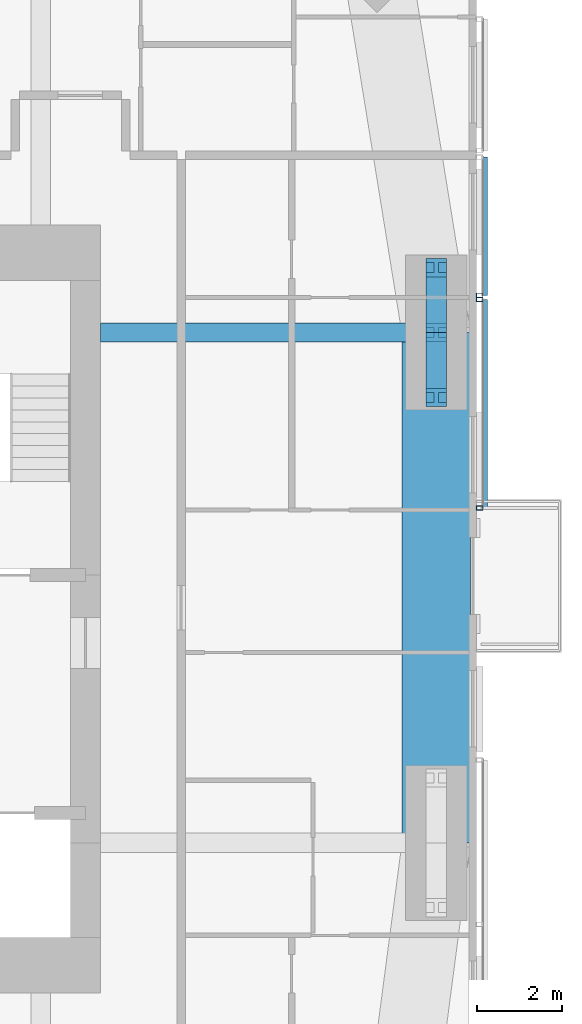
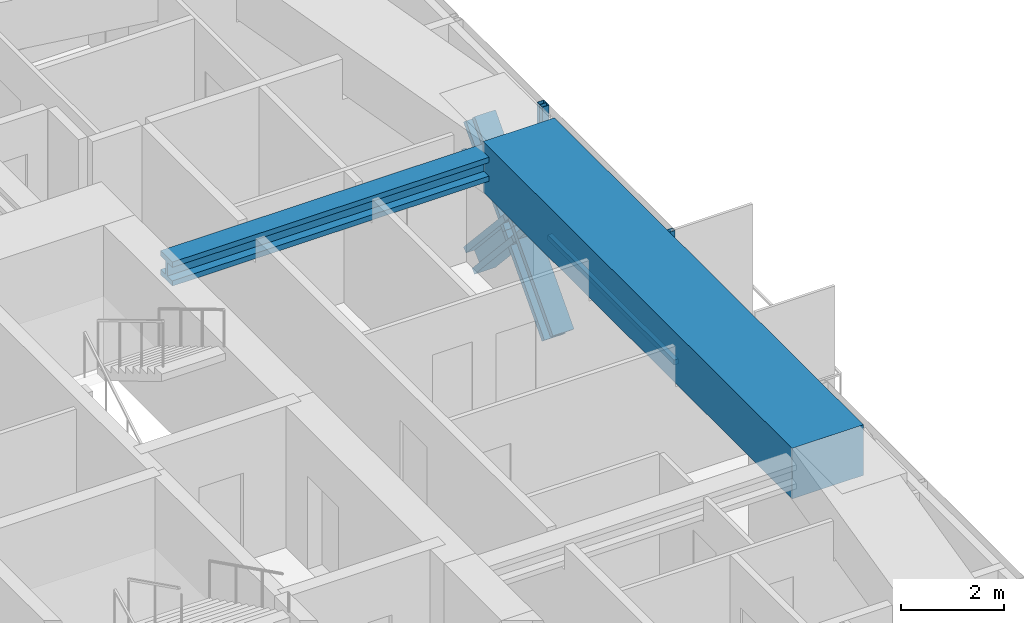
# One storey, part 8 of 23: 9 members, 2 beams, 2 elements without a shape of their own.
"""IFC4 building model written with IfcOpenShell, lengths in metres."""

from ifc_helpers import new_model, si_unit, direction, frame, origin, origin_2d, place, context, subcontext, project, spatial, rectangle, hollow_rectangle, i_section, extrude, material, material_profile, profile_set, type_object, element, aggregate, save


model = new_model("IFC4")

# Units and contexts
model_context = context("Model", 3, precision=1e-05, world=origin(), true_north=direction((0.0, 1.0)))
body_context = subcontext(model_context, "Body", "Model", "MODEL_VIEW")
ifc_project = project(units=[si_unit("LENGTHUNIT", "METRE"), si_unit("AREAUNIT", "SQUARE_METRE"), si_unit("VOLUMEUNIT", "CUBIC_METRE"), si_unit("PLANEANGLEUNIT", "RADIAN"), si_unit("MASSUNIT", "GRAM", prefix="KILO")], contexts=[model_context])

# Site, building, storey
site_placement = place(None, origin())
site = spatial("IfcSite", under=ifc_project, at=site_placement, CompositionType="ELEMENT")
building_placement = place(site_placement, origin())
building = spatial("IfcBuilding", under=site, at=building_placement, Name="Jalousie Tower", CompositionType="ELEMENT")
storey_placement = place(building_placement, frame((0.0, 0.0, 197.89990234375)))
storey = spatial("IfcBuildingStorey", under=building, at=storey_placement, Name="L54", CompositionType="ELEMENT", Elevation=197.89990234375)

# Beam
ifc_material_1 = material(Name="Steel ASTM A992 Grade 50", Category="steel")
ifc_material_profile_1 = material_profile(ifc_material_1, i_section(OverallWidth=0.45458984375, OverallDepth=0.569091796875, WebThickness=0.077880859375, FlangeThickness=0.124755859375, at=origin_2d()), Name="W14X730")
ifc_profile_set_1 = profile_set([ifc_material_profile_1], Name="Steel ASTM A992 Grade 50")
beam_type_1 = type_object("IfcBeamType", Name="LEAN COLLECTOR W14X730", PredefinedType="BEAM", material=ifc_profile_set_1)
beam_1_placement = place(storey_placement, frame((52.050048828125, 25.0, 2.82568359375), z_axis=(-1.0, 0.0, 0.0), x_axis=(0.0, -1.0, 0.0)))
element("IfcBeam", 1, at=beam_1_placement, inside=storey, type_object=beam_type_1, Name="Lean collector under L55", PredefinedType="BEAM", context=body_context, shape_type="SweptSolid", body=[
    extrude(i_section(OverallWidth=0.45458984375, OverallDepth=0.569091796875, WebThickness=0.077880859375, FlangeThickness=0.124755859375, at=origin_2d()), origin(), (0.0, 0.0, 1.0), 7.900146484375),
])

# Members
ifc_material_2 = material(Name="Steel ASTM A992 Grade 50", Category="steel")
ifc_material_profile_2 = material_profile(ifc_material_2, i_section(OverallWidth=0.472412109375, OverallDepth=0.5791015625, WebThickness=0.094970703125, FlangeThickness=0.1298828125, at=origin_2d()), Name="W14X808")
ifc_profile_set_2 = profile_set([ifc_material_profile_2], Name="Steel ASTM A992 Grade 50")
member_type_1 = type_object("IfcMemberType", Name="PERIMETER BRACE W14X808", PredefinedType="BRACE", material=ifc_profile_set_2)
for number, where, z_axis, x_axis, name in (
    (2, (52.050048828125, 23.47509765625, -0.599853515625), (0.0, 0.673187629365, 0.739471713908), (-1.0, 0.0, 0.0), "Perimeter brace 07 L54 part 1"),
    (3, (52.050048828125, 25.0, 1.0751953125), (0.0, 0.673241284601, 0.739422864611), (-1.0, 0.0, 0.0), "Perimeter brace 07 L54 part 2"),
    (4, (52.050048828125, 26.52490234375, -0.599853515625), (0.0, -0.673187629365, 0.739471713908), (1.0, 0.0, 0.0), "Perimeter brace 07 L54 part 3"),
    (5, (52.050048828125, 25.0, 1.0751953125), (0.0, -0.673241284601, 0.739422864611), (1.0, 0.0, 0.0), "Perimeter brace 07 L54 part 4"),
):
    element("IfcMember", number, at=place(storey_placement, frame(where, z_axis=z_axis, x_axis=x_axis)), inside=storey, type_object=member_type_1, Name=name, PredefinedType="BRACE", context=body_context, shape_type="SweptSolid", body=[
        extrude(i_section(OverallWidth=0.472412109375, OverallDepth=0.5791015625, WebThickness=0.094970703125, FlangeThickness=0.1298828125, at=origin_2d()), origin(), (0.0, 0.0, 1.0), 2.26513671875),
    ])

# Beam
ifc_material_3 = material(Name="Concrete f'c 40 MPa", Category="concrete")
ifc_material_profile_3 = material_profile(ifc_material_3, rectangle(XDim=1.60009765625, YDim=1.199951171875, at=origin_2d()), Name="RC 1600x1200")
ifc_profile_set_3 = profile_set([ifc_material_profile_3], Name="Concrete f'c 40 MPa")
beam_type_2 = type_object("IfcBeamType", Name="RC BEAM 1600x1200", PredefinedType="BEAM", material=ifc_profile_set_3)
beam_2_placement = place(storey_placement, frame((52.050048828125, 13.0, 2.75), z_axis=(0.0, 1.0, 0.0), x_axis=(-1.0, 0.0, 0.0)))
element("IfcBeam", 6, at=beam_2_placement, inside=storey, type_object=beam_type_2, Name="Edge band beam 06-07 under L55", PredefinedType="BEAM", context=body_context, shape_type="SweptSolid", body=[
    extrude(rectangle(XDim=1.60009765625, YDim=1.199951171875, at=origin_2d()), origin(), (0.0, 0.0, 1.0), 12.0),
])

# Curtain wall, members
ifc_material_4 = material(Name="Perforated aluminium sheet", Category="aluminium")
curtain_wall_type = type_object("IfcCurtainWallType", Name="SOLAR SCREEN SS-1", PredefinedType="USERDEFINED", material=ifc_material_4)
curtain_wall_1_placement = place(storey_placement, origin())
curtain_wall_1 = element("IfcCurtainWall", 7, at=curtain_wall_1_placement, inside=storey, type_object=curtain_wall_type, Name="Solar screen L54", ObjectType="SOLAR SCREEN SS-1", PredefinedType="USERDEFINED")
ifc_material_5 = material(Name="Steel ASTM A500 Grade C", Category="steel")
ifc_material_profile_4 = material_profile(ifc_material_5, hollow_rectangle(XDim=0.1015625, YDim=0.15234375, WallThickness=0.00634765625, at=origin_2d()), Name="HSS6X4X1/4")
ifc_profile_set_4 = profile_set([ifc_material_profile_4], Name="Steel ASTM A500 Grade C")
member_type_2 = type_object("IfcMemberType", Name="SOLAR SCREEN SS-1 MULLION", PredefinedType="MULLION", material=ifc_profile_set_4)
member_1_placement = place(storey_placement, frame((53.0712890625, 20.875, -0.119873046875), z_axis=(0.0, 0.0, 1.0), x_axis=(0.0, 1.0, 0.0)))
member_1 = element("IfcMember", 8, at=member_1_placement, type_object=member_type_2, Name="SS1 post 1", PredefinedType="MULLION", context=body_context, shape_type="SweptSolid", body=[
    extrude(hollow_rectangle(XDim=0.1015625, YDim=0.15234375, WallThickness=0.00634765625, at=origin_2d()), origin(), (0.0, 0.0, 1.0), 3.22998046875),
])
member_2_placement = place(storey_placement, frame((53.0712890625, 25.77490234375, -0.119873046875), z_axis=(0.0, 0.0, 1.0), x_axis=(0.0, 1.0, 0.0)))
member_2 = element("IfcMember", 9, at=member_2_placement, type_object=member_type_2, Name="SS1 post 2", PredefinedType="MULLION", context=body_context, shape_type="SweptSolid", body=[
    extrude(hollow_rectangle(XDim=0.1015625, YDim=0.15234375, WallThickness=0.00634765625, at=origin_2d()), origin(), (0.0, 0.0, 1.0), 3.22998046875),
])

# Curtain wall, member
curtain_wall_2_placement = place(storey_placement, origin())
curtain_wall_2 = element("IfcCurtainWall", 10, at=curtain_wall_2_placement, inside=storey, type_object=curtain_wall_type, Name="Solar screen L54", ObjectType="SOLAR SCREEN SS-1", PredefinedType="USERDEFINED")
member_3_placement = place(storey_placement, frame((53.0712890625, 25.875, -0.119873046875), z_axis=(0.0, 0.0, 1.0), x_axis=(0.0, 1.0, 0.0)))
member_3 = element("IfcMember", 11, at=member_3_placement, type_object=member_type_2, Name="SS1 post 1", PredefinedType="MULLION", context=body_context, shape_type="SweptSolid", body=[
    extrude(hollow_rectangle(XDim=0.1015625, YDim=0.15234375, WallThickness=0.00634765625, at=origin_2d()), origin(), (0.0, 0.0, 1.0), 3.22998046875),
])

# Member
ifc_material_6 = material(Name="Extruded aluminium screen rail", Category="aluminium")
ifc_material_profile_5 = material_profile(ifc_material_6, rectangle(XDim=0.1015625, YDim=0.1201171875, at=origin_2d()), Name="RAIL 102x120")
ifc_profile_set_5 = profile_set([ifc_material_profile_5], Name="Extruded aluminium screen rail")
member_type_3 = type_object("IfcMemberType", Name="SOLAR SCREEN SS-1 TRANSOM", PredefinedType="USERDEFINED", material=ifc_profile_set_5)
member_4_placement = place(storey_placement, frame((53.1982421875, 20.875, -0.059814453125), z_axis=(0.0, 1.0, 0.0), x_axis=(-1.0, 0.0, 0.0)))
member_4 = element("IfcMember", 12, at=member_4_placement, type_object=member_type_3, Name="SS1 rail", ObjectType="TRANSOM", PredefinedType="USERDEFINED", context=body_context, shape_type="SweptSolid", body=[
    extrude(rectangle(XDim=0.1015625, YDim=0.1201171875, at=origin_2d()), origin(), (0.0, 0.0, 1.0), 4.89990234375),
])

aggregate(curtain_wall_1, [member_1, member_2, member_4])

member_5_placement = place(storey_placement, frame((53.1982421875, 25.875, -0.059814453125), z_axis=(0.0, 1.0, 0.0), x_axis=(-1.0, 0.0, 0.0)))
member_5 = element("IfcMember", 13, at=member_5_placement, type_object=member_type_3, Name="SS1 rail", ObjectType="TRANSOM", PredefinedType="USERDEFINED", context=body_context, shape_type="SweptSolid", body=[
    extrude(rectangle(XDim=0.1015625, YDim=0.1201171875, at=origin_2d()), origin(), (0.0, 0.0, 1.0), 3.25),
])

aggregate(curtain_wall_2, [member_3, member_5])

save(model, "model.ifc")
